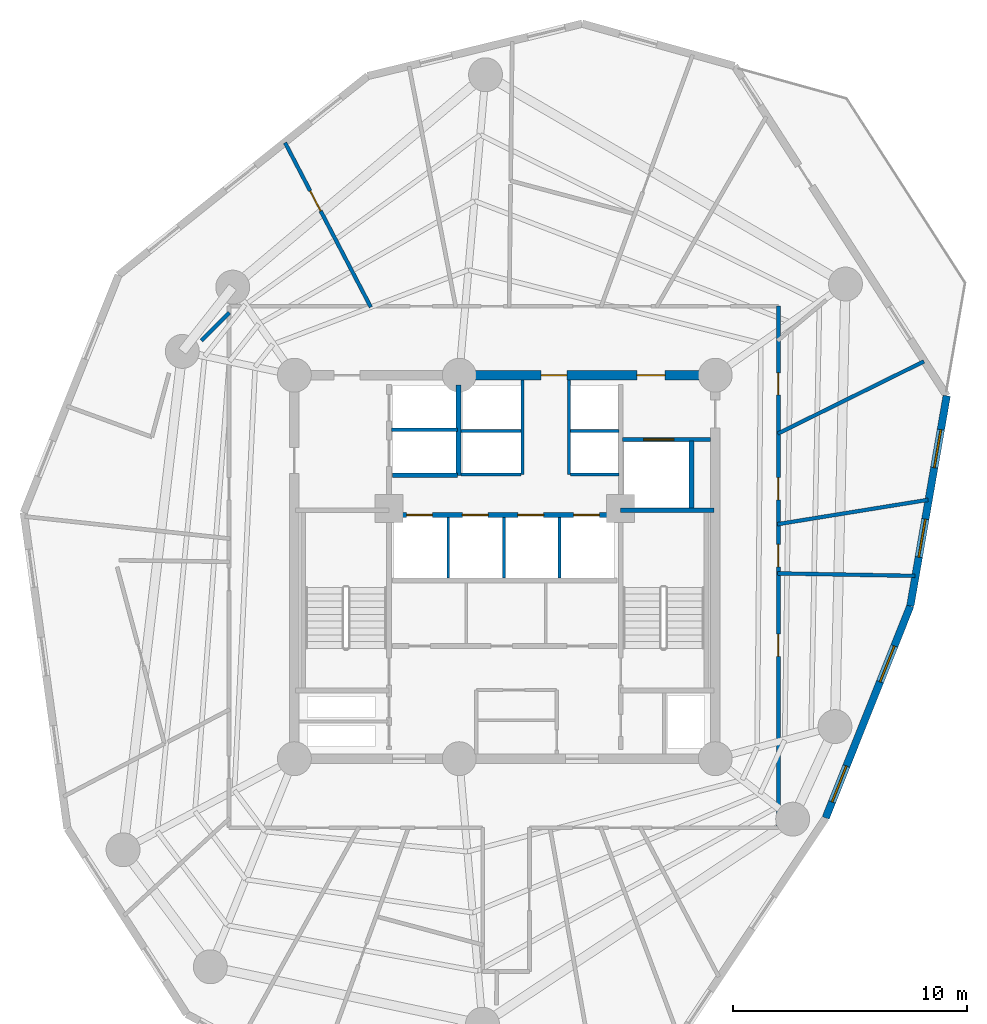
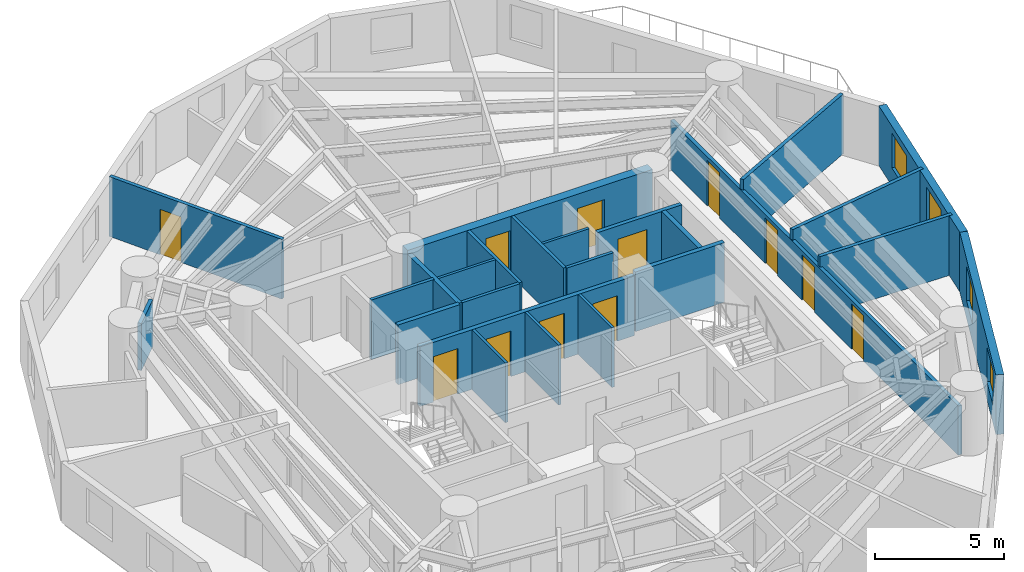
# One storey, part 5 of 8: 25 walls, 12 doors, 4 windows, 16 openings.
"""IFC4 building model written with IfcOpenShell, lengths in metres."""

from ifc_helpers import new_model, si_unit, direction, frame, frame_2d, origin, origin_with_axes, place, context, subcontext, project, spatial, rectangle, extrude, source, transform, mapped, material, layer, layer_set, type_object, element, fill, save


model = new_model("IFC4")

# Units and contexts
model_context = context("Model", 3, precision=1e-05, world=origin(), true_north=direction((0.0, 1.0)))
body_context = subcontext(model_context, "Body", "Model", "MODEL_VIEW")
ifc_project = project(units=[si_unit("LENGTHUNIT", "METRE"), si_unit("AREAUNIT", "SQUARE_METRE"), si_unit("VOLUMEUNIT", "CUBIC_METRE"), si_unit("PLANEANGLEUNIT", "RADIAN"), si_unit("MASSUNIT", "GRAM", prefix="KILO")], contexts=[model_context])

# Site, building, storey
site_placement = place(None, origin())
site = spatial("IfcSite", under=ifc_project, at=site_placement, CompositionType="ELEMENT")
building_placement = place(site_placement, origin())
building = spatial("IfcBuilding", under=site, at=building_placement, Name="Karkom Vertical University and Central Library", CompositionType="ELEMENT")
storey_placement = place(building_placement, frame((0.0, 0.0, 132.800048828125)))
storey = spatial("IfcBuildingStorey", under=building, at=storey_placement, Name="L37", CompositionType="ELEMENT", Elevation=132.800048828125)

# Wall, openings, windows
ifc_material_1 = material(Name="Brick-faced precast concrete C45/55", Category="masonry")
ifc_layer_1 = layer(ifc_material_1, 0.320068359375)
ifc_layer_set_1 = layer_set([ifc_layer_1], Name="Brick-faced precast concrete C45/55")
wall_type_1 = type_object("IfcWallType", Name="ENV-WL-BRK-320", PredefinedType="SOLIDWALL", material=ifc_layer_set_1)
wall_1_placement = place(storey_placement, frame((42.223876953125, 15.767333984375, 0.0), z_axis=(0.0, 0.0, 1.0), x_axis=(0.37072212122, 0.928743833809, 0.0)))
wall_1 = element("IfcWall", 1, at=wall_1_placement, inside=storey, type_object=wall_type_1, Name="Level 37 Brick-Faced Precast Facade Wall 06", PredefinedType="SOLIDWALL", context=body_context, shape_type="SweptSolid", body=[
    extrude(rectangle(XDim=9.760498046875, YDim=0.320068359375, at=frame_2d((4.88037109375, 0.0))), origin(), (0.0, 0.0, 1.0), 2.824951171875),
])
opening_1_placement = place(wall_1_placement, frame((0.736572265625, 0.0, 0.85009765625)))
opening_1 = element("IfcOpeningElement", 2, at=opening_1_placement, cuts=wall_1, Name="Opening WN-06", PredefinedType="OPENING", context=body_context, shape_type="SweptSolid", body=[
    extrude(rectangle(XDim=1.64990234375, YDim=1.64990234375, at=frame_2d((0.824951171875, 0.824951171875))), frame((0.0, 0.169921875, 0.0), z_axis=(0.0, -1.0, 0.0), x_axis=(1.0, 0.0, 0.0)), (0.0, 0.0, 1.0), 0.340087890625),
])
opening_2_placement = place(wall_1_placement, frame((6.2666015625, 0.0, 0.85009765625)))
opening_2 = element("IfcOpeningElement", 3, at=opening_2_placement, cuts=wall_1, Name="Opening WN-06", PredefinedType="OPENING", context=body_context, shape_type="SweptSolid", body=[
    extrude(rectangle(XDim=1.64990234375, YDim=1.64990234375, at=frame_2d((0.824951171875, 0.824951171875))), frame((0.0, 0.169921875, 0.0), z_axis=(0.0, -1.0, 0.0), x_axis=(1.0, 0.0, 0.0)), (0.0, 0.0, 1.0), 0.340087890625),
])
ifc_material_2 = material(Name="Aluminium thermal-break frame with solar-control IGU", Category="aluminium")
window_type = type_object("IfcWindowType", Name="ENV-WIN-WN-06", PartitioningType="SINGLE_PANEL", PredefinedType="WINDOW", material=ifc_material_2)
shared_shape_1 = source(origin_with_axes(), body_context, "Body", "SweptSolid", [
    extrude(rectangle(XDim=1.64990234375, YDim=1.64990234375, at=frame_2d((0.824951171875, 0.824951171875))), frame((0.0, 0.030029296875, 0.0), z_axis=(0.0, -1.0, 0.0), x_axis=(1.0, 0.0, 0.0)), (0.0, 0.0, 1.0), 0.06005859375),
])
window_1_placement = place(opening_1_placement, origin())
window_1 = element("IfcWindow", 4, at=window_1_placement, inside=storey, type_object=window_type, Name="Level 37 Punched Window 6.1", OverallHeight=1.64990234375, OverallWidth=1.64990234375, PartitioningType="SINGLE_PANEL", PredefinedType="WINDOW", context=body_context, shape_type="MappedRepresentation", body=[
    mapped(shared_shape_1, transform((0.0, 0.0, 0.0), scale=1.0)),
])
fill(opening_1, window_1)
window_2_placement = place(opening_2_placement, origin())
window_2 = element("IfcWindow", 5, at=window_2_placement, inside=storey, type_object=window_type, Name="Level 37 Punched Window 6.2", OverallHeight=1.64990234375, OverallWidth=1.64990234375, PartitioningType="SINGLE_PANEL", PredefinedType="WINDOW", context=body_context, shape_type="MappedRepresentation", body=[
    mapped(shared_shape_1, transform((0.0, 0.0, 0.0), scale=1.0)),
])
fill(opening_2, window_2)

wall_2_placement = place(storey_placement, frame((45.84228515625, 24.832275390625, 0.0), z_axis=(0.0, 0.0, 1.0), x_axis=(0.170718823462, 0.985319787336, 0.0)))
wall_2 = element("IfcWall", 6, at=wall_2_placement, inside=storey, type_object=wall_type_1, Name="Level 37 Brick-Faced Precast Facade Wall 07", PredefinedType="SOLIDWALL", context=body_context, shape_type="SweptSolid", body=[
    extrude(rectangle(XDim=9.12255859375, YDim=0.320068359375, at=frame_2d((4.561279296875, 0.0))), origin(), (0.0, 0.0, 1.0), 2.824951171875),
])
opening_3_placement = place(wall_2_placement, frame((2.1171875, 0.0, 0.85009765625)))
opening_3 = element("IfcOpeningElement", 7, at=opening_3_placement, cuts=wall_2, Name="Opening WN-06", PredefinedType="OPENING", context=body_context, shape_type="SweptSolid", body=[
    extrude(rectangle(XDim=1.64990234375, YDim=1.64990234375, at=frame_2d((0.824951171875, 0.824951171875))), frame((0.0, 0.169921875, 0.0), z_axis=(0.0, -1.0, 0.0), x_axis=(1.0, 0.0, 0.0)), (0.0, 0.0, 1.0), 0.340087890625),
])
opening_4_placement = place(wall_2_placement, frame((6.001220703125, 0.0, 0.85009765625)))
opening_4 = element("IfcOpeningElement", 8, at=opening_4_placement, cuts=wall_2, Name="Opening WN-06", PredefinedType="OPENING", context=body_context, shape_type="SweptSolid", body=[
    extrude(rectangle(XDim=1.64990234375, YDim=1.64990234375, at=frame_2d((0.824951171875, 0.824951171875))), frame((0.0, 0.169921875, 0.0), z_axis=(0.0, -1.0, 0.0), x_axis=(1.0, 0.0, 0.0)), (0.0, 0.0, 1.0), 0.340087890625),
])
window_3_placement = place(opening_3_placement, origin())
window_3 = element("IfcWindow", 9, at=window_3_placement, inside=storey, type_object=window_type, Name="Level 37 Punched Window 7.1", OverallHeight=1.64990234375, OverallWidth=1.64990234375, PartitioningType="SINGLE_PANEL", PredefinedType="WINDOW", context=body_context, shape_type="MappedRepresentation", body=[
    mapped(shared_shape_1, transform((0.0, 0.0, 0.0), scale=1.0)),
])
fill(opening_3, window_3)
window_4_placement = place(opening_4_placement, origin())
window_4 = element("IfcWindow", 10, at=window_4_placement, inside=storey, type_object=window_type, Name="Level 37 Punched Window 7.2", OverallHeight=1.64990234375, OverallWidth=1.64990234375, PartitioningType="SINGLE_PANEL", PredefinedType="WINDOW", context=body_context, shape_type="MappedRepresentation", body=[
    mapped(shared_shape_1, transform((0.0, 0.0, 0.0), scale=1.0)),
])
fill(opening_4, window_4)

# Wall, openings, doors
ifc_material_3 = material(Name="Insulated metal-stud drywall 160mm", Category="gypsum")
ifc_layer_2 = layer(ifc_material_3, 0.159912109375)
ifc_layer_set_2 = layer_set([ifc_layer_2], Name="Insulated metal-stud drywall 160mm")
wall_type_2 = type_object("IfcWallType", Name="INT-WL-COR-160", PredefinedType="PARTITIONING", material=ifc_layer_set_2)
wall_3_placement = place(storey_placement, frame((40.199951171875, 37.64990234375, 0.0), z_axis=(0.0, 0.0, 1.0), x_axis=(0.0, -1.0, 0.0)))
wall_3 = element("IfcWall", 11, at=wall_3_placement, inside=storey, type_object=wall_type_2, Name="Level 37 Interior Partition Wall L37-CORW-CW-004", PredefinedType="PARTITIONING", context=body_context, shape_type="SweptSolid", body=[
    extrude(rectangle(XDim=22.2998046875, YDim=0.159912109375, at=frame_2d((11.14990234375, 0.0))), origin(), (0.0, 0.0, 1.0), 2.324951171875),
])
opening_5_placement = place(wall_3_placement, frame((14.02001953125, 0.0, 0.0)))
opening_5 = element("IfcOpeningElement", 12, at=opening_5_placement, cuts=wall_3, Name="Opening D-RM1", PredefinedType="OPENING", context=body_context, shape_type="SweptSolid", body=[
    extrude(rectangle(XDim=0.949951171875, YDim=2.14990234375, at=frame_2d((0.47509765625, 1.074951171875))), frame((0.0, 0.08984375, 0.0), z_axis=(0.0, -1.0, 0.0), x_axis=(1.0, 0.0, 0.0)), (0.0, 0.0, 1.0), 0.179931640625),
])
opening_6_placement = place(wall_3_placement, frame((10.18505859375, 0.0, 0.0)))
opening_6 = element("IfcOpeningElement", 13, at=opening_6_placement, cuts=wall_3, Name="Opening FD-RM2", PredefinedType="OPENING", context=body_context, shape_type="SweptSolid", body=[
    extrude(rectangle(XDim=0.9599609375, YDim=2.14990234375, at=frame_2d((0.47998046875, 1.074951171875))), frame((0.0, 0.08984375, 0.0), z_axis=(0.0, -1.0, 0.0), x_axis=(1.0, 0.0, 0.0)), (0.0, 0.0, 1.0), 0.179931640625),
])
opening_7_placement = place(wall_3_placement, frame((7.330078125, 0.0, 0.0)))
opening_7 = element("IfcOpeningElement", 14, at=opening_7_placement, cuts=wall_3, Name="Opening D-RM1", PredefinedType="OPENING", context=body_context, shape_type="SweptSolid", body=[
    extrude(rectangle(XDim=0.949951171875, YDim=2.14990234375, at=frame_2d((0.47509765625, 1.074951171875))), frame((0.0, 0.08984375, 0.0), z_axis=(0.0, -1.0, 0.0), x_axis=(1.0, 0.0, 0.0)), (0.0, 0.0, 1.0), 0.179931640625),
])
opening_8_placement = place(wall_3_placement, frame((2.845703125, 0.0, 0.0)))
opening_8 = element("IfcOpeningElement", 15, at=opening_8_placement, cuts=wall_3, Name="Opening D-RM1", PredefinedType="OPENING", context=body_context, shape_type="SweptSolid", body=[
    extrude(rectangle(XDim=0.949951171875, YDim=2.14990234375, at=frame_2d((0.47509765625, 1.074951171875))), frame((0.0, 0.08984375, 0.0), z_axis=(0.0, -1.0, 0.0), x_axis=(1.0, 0.0, 0.0)), (0.0, 0.0, 1.0), 0.179931640625),
])
ifc_material_4 = material(Name="Fire-rated oak veneer door", Category="wood")
door_type_1 = type_object("IfcDoorType", Name="INT-DR-FRM2", OperationType="NOTDEFINED", PredefinedType="DOOR", material=ifc_material_4)
shared_shape_2 = source(origin_with_axes(), body_context, "Body", "SweptSolid", [
    extrude(rectangle(XDim=0.9599609375, YDim=2.14990234375, at=frame_2d((0.47998046875, 1.074951171875))), frame((0.0, 0.02490234375, 0.0), z_axis=(0.0, -1.0, 0.0), x_axis=(1.0, 0.0, 0.0)), (0.0, 0.0, 1.0), 0.050048828125),
])
door_1_placement = place(opening_6_placement, origin())
door_1 = element("IfcDoor", 16, at=door_1_placement, inside=storey, type_object=door_type_1, Name="Level 37 Room Entry Door 120", OperationType="SINGLE_SWING_RIGHT", OverallHeight=2.14990234375, OverallWidth=0.9599609375, PredefinedType="DOOR", context=body_context, shape_type="MappedRepresentation", body=[
    mapped(shared_shape_2, transform((0.0, 0.0, 0.0), scale=1.0)),
])
fill(opening_6, door_1)
ifc_material_5 = material(Name="Solid-core oak veneer door", Category="wood")
door_type_2 = type_object("IfcDoorType", Name="INT-DR-RM1", OperationType="NOTDEFINED", PredefinedType="DOOR", material=ifc_material_5)
shared_shape_3 = source(origin_with_axes(), body_context, "Body", "SweptSolid", [
    extrude(rectangle(XDim=0.949951171875, YDim=2.14990234375, at=frame_2d((0.47509765625, 1.074951171875))), frame((0.0, 0.02490234375, 0.0), z_axis=(0.0, -1.0, 0.0), x_axis=(1.0, 0.0, 0.0)), (0.0, 0.0, 1.0), 0.050048828125),
])
door_2_placement = place(opening_5_placement, origin())
door_2 = element("IfcDoor", 17, at=door_2_placement, inside=storey, type_object=door_type_2, Name="Level 37 Room Entry Door 110", OperationType="SINGLE_SWING_LEFT", OverallHeight=2.14990234375, OverallWidth=0.949951171875, PredefinedType="DOOR", context=body_context, shape_type="MappedRepresentation", body=[
    mapped(shared_shape_3, transform((0.0, 0.0, 0.0), scale=1.0)),
])
fill(opening_5, door_2)
door_3_placement = place(opening_7_placement, origin())
door_3 = element("IfcDoor", 18, at=door_3_placement, inside=storey, type_object=door_type_2, Name="Level 37 Room Entry Door 130", OperationType="SINGLE_SWING_LEFT", OverallHeight=2.14990234375, OverallWidth=0.949951171875, PredefinedType="DOOR", context=body_context, shape_type="MappedRepresentation", body=[
    mapped(shared_shape_3, transform((0.0, 0.0, 0.0), scale=1.0)),
])
fill(opening_7, door_3)
door_4_placement = place(opening_8_placement, origin())
door_4 = element("IfcDoor", 19, at=door_4_placement, inside=storey, type_object=door_type_2, Name="Level 37 Room Entry Door 140", OperationType="SINGLE_SWING_RIGHT", OverallHeight=2.14990234375, OverallWidth=0.949951171875, PredefinedType="DOOR", context=body_context, shape_type="MappedRepresentation", body=[
    mapped(shared_shape_3, transform((0.0, 0.0, 0.0), scale=1.0)),
])
fill(opening_8, door_4)

# Wall, opening, door
wall_4_placement = place(storey_placement, frame((22.77001953125, 37.610107421875, 0.0), z_axis=(0.0, 0.0, 1.0), x_axis=(-0.462638604279, 0.886546965384, 0.0)))
wall_4 = element("IfcWall", 20, at=wall_4_placement, inside=storey, type_object=wall_type_2, Name="Level 37 Interior Partition Wall L37-PW-025", PredefinedType="PARTITIONING", context=body_context, shape_type="SweptSolid", body=[
    extrude(rectangle(XDim=7.929931640625, YDim=0.159912109375, at=frame_2d((3.96484375, 0.0))), origin(), (0.0, 0.0, 1.0), 2.824951171875),
])
opening_9_placement = place(wall_4_placement, frame((4.64697265625, 0.0, 0.0)))
opening_9 = element("IfcOpeningElement", 21, at=opening_9_placement, cuts=wall_4, Name="Opening FD-RM2", PredefinedType="OPENING", context=body_context, shape_type="SweptSolid", body=[
    extrude(rectangle(XDim=0.9599609375, YDim=2.14990234375, at=frame_2d((0.47998046875, 1.074951171875))), frame((0.0, 0.08984375, 0.0), z_axis=(0.0, -1.0, 0.0), x_axis=(1.0, 0.0, 0.0)), (0.0, 0.0, 1.0), 0.179931640625),
])
door_5_placement = place(opening_9_placement, origin())
door_5 = element("IfcDoor", 22, at=door_5_placement, inside=storey, type_object=door_type_1, Name="Level 37 Room Entry Door 210", OperationType="SINGLE_SWING_RIGHT", OverallHeight=2.14990234375, OverallWidth=0.9599609375, PredefinedType="DOOR", context=body_context, shape_type="MappedRepresentation", body=[
    mapped(shared_shape_2, transform((0.0, 0.0, 0.0), scale=1.0)),
])
fill(opening_9, door_5)

# Walls
wall_5_placement = place(storey_placement, frame((40.173095703125, 32.20166015625, 0.0), z_axis=(0.0, 0.0, 1.0), x_axis=(0.896518370802, 0.443006558433, 0.0)))
element("IfcWall", 23, at=wall_5_placement, inside=storey, type_object=wall_type_2, Name="Level 37 Interior Partition Wall L37-PW-017", PredefinedType="PARTITIONING", context=body_context, shape_type="SweptSolid", body=[
    extrude(rectangle(XDim=6.971923828125, YDim=0.159912109375, at=frame_2d((3.48583984375, 0.0))), origin(), (0.0, 0.0, 1.0), 2.824951171875),
])
wall_6_placement = place(storey_placement, frame((40.155517578125, 28.326904296875, 0.0), z_axis=(0.0, 0.0, 1.0), x_axis=(0.987137558306, 0.159873202825, 0.0)))
element("IfcWall", 24, at=wall_6_placement, inside=storey, type_object=wall_type_2, Name="Level 37 Interior Partition Wall L37-PW-016", PredefinedType="PARTITIONING", context=body_context, shape_type="SweptSolid", body=[
    extrude(rectangle(XDim=6.5283203125, YDim=0.159912109375, at=frame_2d((3.26416015625, 0.0))), origin(), (0.0, 0.0, 1.0), 2.824951171875),
])
wall_7_placement = place(storey_placement, frame((40.169921875, 26.225341796875, 0.0), z_axis=(0.0, 0.0, 1.0), x_axis=(0.999831769481, -0.018342102847, 0.0)))
element("IfcWall", 25, at=wall_7_placement, inside=storey, type_object=wall_type_2, Name="Level 37 Interior Partition Wall L37-PW-015", PredefinedType="PARTITIONING", context=body_context, shape_type="SweptSolid", body=[
    extrude(rectangle(XDim=5.869873046875, YDim=0.159912109375, at=frame_2d((2.93505859375, 0.0))), origin(), (0.0, 0.0, 1.0), 2.824951171875),
])
wall_8_placement = place(storey_placement, frame((16.72119140625, 37.373779296875, 0.0), z_axis=(0.0, 0.0, 1.0), x_axis=(-0.707034498357, -0.707179056627, 0.0)))
element("IfcWall", 26, at=wall_8_placement, inside=storey, type_object=wall_type_2, Name="Level 37 Interior Partition Wall L37-PW-026", PredefinedType="PARTITIONING", context=body_context, shape_type="SweptSolid", body=[
    extrude(rectangle(XDim=1.68896484375, YDim=0.159912109375, at=frame_2d((0.844482421875, 0.0))), origin(), (0.0, 0.0, 1.0), 2.224853515625),
])
ifc_material_6 = material(Name="Moisture-resistant drywall 120mm", Category="gypsum")
ifc_layer_3 = layer(ifc_material_6, 0.1201171875)
ifc_layer_set_3 = layer_set([ifc_layer_3], Name="Moisture-resistant drywall 120mm")
wall_type_3 = type_object("IfcWallType", Name="INT-WL-INT-120H", PredefinedType="PARTITIONING", material=ifc_layer_set_3)
for number, where, z_axis, x_axis, name in (
    (27, (26.080078125, 26.02001953125, 0.0), (0.0, 0.0, 1.0), (0.0, 1.0, 0.0), "Level 37 Interior Partition Wall L37-CW-PM-DIV1"),
    (28, (28.4599609375, 26.02001953125, 0.0), (0.0, 0.0, 1.0), (0.0, 1.0, 0.0), "Level 37 Interior Partition Wall L37-CW-PM-DIV2"),
    (29, (30.840087890625, 26.02001953125, 0.0), (0.0, 0.0, 1.0), (0.0, 1.0, 0.0), "Level 37 Interior Partition Wall L37-CW-PM-DIV3"),
):
    element("IfcWall", number, at=place(storey_placement, frame(where, z_axis=z_axis, x_axis=x_axis)), inside=storey, type_object=wall_type_3, Name=name, PredefinedType="PARTITIONING", context=body_context, shape_type="SweptSolid", body=[
        extrude(rectangle(XDim=2.60009765625, YDim=0.1201171875, at=frame_2d((1.300048828125, 0.0))), origin(), (0.0, 0.0, 1.0), 2.824951171875),
    ])
wall_9_placement = place(storey_placement, frame((26.6201171875, 32.320068359375, 0.0), z_axis=(0.0, 0.0, 1.0), x_axis=(1.0, 0.0, 0.0)))
element("IfcWall", 30, at=wall_9_placement, inside=storey, type_object=wall_type_3, Name="Level 37 Interior Partition Wall L37-CW-PH-MW", PredefinedType="PARTITIONING", context=body_context, shape_type="SweptSolid", body=[
    extrude(rectangle(XDim=2.579833984375, YDim=0.1201171875, at=frame_2d((1.2900390625, 0.0))), origin(), (0.0, 0.0, 1.0), 2.824951171875),
])
wall_10_placement = place(storey_placement, frame((31.300048828125, 32.320068359375, 0.0), z_axis=(0.0, 0.0, 1.0), x_axis=(1.0, 0.0, 0.0)))
element("IfcWall", 31, at=wall_10_placement, inside=storey, type_object=wall_type_3, Name="Level 37 Interior Partition Wall L37-CW-PH-ME", PredefinedType="PARTITIONING", context=body_context, shape_type="SweptSolid", body=[
    extrude(rectangle(XDim=2.074951171875, YDim=0.1201171875, at=frame_2d((1.03759765625, 0.0))), origin(), (0.0, 0.0, 1.0), 2.824951171875),
])
ifc_material_7 = material(Name="Metal-stud gypsum partition 140mm", Category="gypsum")
ifc_layer_4 = layer(ifc_material_7, 0.139892578125)
ifc_layer_set_4 = layer_set([ifc_layer_4], Name="Metal-stud gypsum partition 140mm")
wall_type_4 = type_object("IfcWallType", Name="INT-WL-SUB-140H", PredefinedType="PARTITIONING", material=ifc_layer_set_4)
for number, where, z_axis, x_axis, name in (
    (32, (29.260009765625, 30.449951171875, 0.0), (0.0, 0.0, 1.0), (0.0, 1.0, 0.0), "Level 37 Interior Partition Wall L37-CW-PH-W"),
    (33, (31.239990234375, 30.449951171875, 0.0), (0.0, 0.0, 1.0), (0.0, 1.0, 0.0), "Level 37 Interior Partition Wall L37-CW-PH-E"),
):
    element("IfcWall", number, at=place(storey_placement, frame(where, z_axis=z_axis, x_axis=x_axis)), inside=storey, type_object=wall_type_4, Name=name, PredefinedType="PARTITIONING", context=body_context, shape_type="SweptSolid", body=[
        extrude(rectangle(XDim=4.04296875, YDim=0.139892578125, at=frame_2d((2.021484375, 0.0))), origin(), (0.0, 0.0, 1.0), 2.824951171875),
    ])
wall_11_placement = place(storey_placement, frame((26.6201171875, 30.449951171875, 0.0), z_axis=(0.0, 0.0, 1.0), x_axis=(1.0, 0.0, 0.0)))
element("IfcWall", 34, at=wall_11_placement, inside=storey, type_object=wall_type_4, Name="Level 37 Interior Partition Wall L37-CW-PH-S1", PredefinedType="PARTITIONING", context=body_context, shape_type="SweptSolid", body=[
    extrude(rectangle(XDim=2.579833984375, YDim=0.139892578125, at=frame_2d((1.2900390625, 0.0))), origin(), (0.0, 0.0, 1.0), 2.824951171875),
])
wall_12_placement = place(storey_placement, frame((31.300048828125, 30.449951171875, 0.0), z_axis=(0.0, 0.0, 1.0), x_axis=(1.0, 0.0, 0.0)))
element("IfcWall", 35, at=wall_12_placement, inside=storey, type_object=wall_type_4, Name="Level 37 Interior Partition Wall L37-CW-PH-S2", PredefinedType="PARTITIONING", context=body_context, shape_type="SweptSolid", body=[
    extrude(rectangle(XDim=2.074951171875, YDim=0.139892578125, at=frame_2d((1.03759765625, 0.0))), origin(), (0.0, 0.0, 1.0), 2.824951171875),
])
ifc_layer_5 = layer(ifc_material_7, 0.139892578125)
ifc_layer_set_5 = layer_set([ifc_layer_5], Name="Metal-stud gypsum partition 140mm")
wall_type_5 = type_object("IfcWallType", Name="INT-WL-SUB-140X", PredefinedType="PARTITIONING", material=ifc_layer_set_5)
wall_13_placement = place(storey_placement, frame((23.652099609375, 32.3701171875, 0.0), z_axis=(0.0, 0.0, 1.0), x_axis=(1.0, 0.0, 0.0)))
element("IfcWall", 36, at=wall_13_placement, inside=storey, type_object=wall_type_5, Name="Level 37 Interior Partition Wall L37-CW-FFL-M", PredefinedType="PARTITIONING", context=body_context, shape_type="SweptSolid", body=[
    extrude(rectangle(XDim=2.827880859375, YDim=0.139892578125, at=frame_2d((1.4140625, 0.0))), origin(), (0.0, 0.0, 1.0), 2.824951171875),
])

# Wall, opening, door
ifc_material_8 = material(Name="Twin-stud acoustic drywall 180mm", Category="gypsum")
ifc_layer_6 = layer(ifc_material_8, 0.179931640625)
ifc_layer_set_6 = layer_set([ifc_layer_6], Name="Twin-stud acoustic drywall 180mm")
wall_type_6 = type_object("IfcWallType", Name="INT-WL-TEN-180F", PredefinedType="PARTITIONING", material=ifc_layer_set_6)
wall_14_placement = place(storey_placement, frame((33.534912109375, 31.949951171875, 0.0), z_axis=(0.0, 0.0, 1.0), x_axis=(1.0, 0.0, 0.0)))
wall_14 = element("IfcWall", 37, at=wall_14_placement, inside=storey, type_object=wall_type_6, Name="Level 37 Interior Partition Wall L37-CW-SVL-N", PredefinedType="PARTITIONING", context=body_context, shape_type="SweptSolid", body=[
    extrude(rectangle(XDim=3.7587890625, YDim=0.179931640625, at=frame_2d((1.87939453125, 0.0))), origin(), (0.0, 0.0, 1.0), 2.824951171875),
])
opening_10_placement = place(wall_14_placement, frame((0.89990234375, 0.0, 0.0)))
opening_10 = element("IfcOpeningElement", 38, at=opening_10_placement, cuts=wall_14, Name="Opening LD-SV1", PredefinedType="OPENING", context=body_context, shape_type="SweptSolid", body=[
    extrude(rectangle(XDim=1.300048828125, YDim=2.199951171875, at=frame_2d((0.64990234375, 1.10009765625))), frame((0.0, 0.10009765625, 0.0), z_axis=(0.0, -1.0, 0.0), x_axis=(1.0, 0.0, 0.0)), (0.0, 0.0, 1.0), 0.199951171875),
])
ifc_material_9 = material(Name="Brushed stainless-steel landing door", Category="steel")
door_type_3 = type_object("IfcDoorType", Name="INT-DR-LD-SV1", OperationType="SLIDING_TO_LEFT", PredefinedType="DOOR", material=ifc_material_9)
shared_shape_4 = source(origin_with_axes(), body_context, "Body", "SweptSolid", [
    extrude(rectangle(XDim=1.300048828125, YDim=2.199951171875, at=frame_2d((0.64990234375, 1.10009765625))), frame((0.0, 0.02490234375, 0.0), z_axis=(0.0, -1.0, 0.0), x_axis=(1.0, 0.0, 0.0)), (0.0, 0.0, 1.0), 0.050048828125),
])
door_6_placement = place(opening_10_placement, origin())
door_6 = element("IfcDoor", 39, at=door_6_placement, inside=storey, type_object=door_type_3, Name="Level 37 Service Lift Landing Door LD-SV1", OperationType="SLIDING_TO_LEFT", OverallHeight=2.199951171875, OverallWidth=1.300048828125, PredefinedType="DOOR", context=body_context, shape_type="MappedRepresentation", body=[
    mapped(shared_shape_4, transform((0.0, 0.0, 0.0), scale=1.0)),
])
fill(opening_10, door_6)

# Wall, openings, doors
ifc_material_10 = material(Name="Concrete C50/60", Category="concrete")
ifc_layer_7 = layer(ifc_material_10, 0.39990234375)
ifc_layer_set_7 = layer_set([ifc_layer_7], Name="Concrete C50/60")
wall_type_7 = type_object("IfcWallType", Name="STR-WL-CW-400", PredefinedType="SHEAR", material=ifc_layer_set_7)
wall_15_placement = place(storey_placement, frame((37.5, 34.699951171875, 0.0), z_axis=(0.0, 0.0, 1.0), x_axis=(-1.0, 0.0, 0.0)))
wall_15 = element("IfcWall", 40, at=wall_15_placement, inside=storey, type_object=wall_type_7, Name="Level 37 Central Core Shear Wall NW1", PredefinedType="SHEAR", context=body_context, shape_type="SweptSolid", body=[
    extrude(rectangle(XDim=10.949951171875, YDim=0.39990234375, at=frame_2d((5.47509765625, 0.0))), origin(), (0.0, 0.0, 1.0), 2.824951171875),
])
opening_11_placement = place(wall_15_placement, frame((2.14990234375, 0.0, 0.0)))
opening_11 = element("IfcOpeningElement", 41, at=opening_11_placement, cuts=wall_15, Name="Opening FD-SUB1", PredefinedType="OPENING", context=body_context, shape_type="SweptSolid", body=[
    extrude(rectangle(XDim=1.199951171875, YDim=2.14990234375, at=frame_2d((0.60009765625, 1.074951171875))), frame((0.0, 0.2099609375, 0.0), z_axis=(0.0, -1.0, 0.0), x_axis=(1.0, 0.0, 0.0)), (0.0, 0.0, 1.0), 0.419921875),
])
opening_12_placement = place(wall_15_placement, frame((6.35009765625, 0.0, 0.0)))
opening_12 = element("IfcOpeningElement", 42, at=opening_12_placement, cuts=wall_15, Name="Opening FD-FFL", PredefinedType="OPENING", context=body_context, shape_type="SweptSolid", body=[
    extrude(rectangle(XDim=1.10009765625, YDim=2.14990234375, at=frame_2d((0.550048828125, 1.074951171875))), frame((0.0, 0.2099609375, 0.0), z_axis=(0.0, -1.0, 0.0), x_axis=(1.0, 0.0, 0.0)), (0.0, 0.0, 1.0), 0.419921875),
])
ifc_material_11 = material(Name="Painted steel smoke-seal fire door", Category="steel")
door_type_4 = type_object("IfcDoorType", Name="INT-DR-FFL", OperationType="NOTDEFINED", PredefinedType="DOOR", material=ifc_material_11)
shared_shape_5 = source(origin_with_axes(), body_context, "Body", "SweptSolid", [
    extrude(rectangle(XDim=1.10009765625, YDim=2.14990234375, at=frame_2d((0.550048828125, 1.074951171875))), frame((0.0, 0.02490234375, 0.0), z_axis=(0.0, -1.0, 0.0), x_axis=(1.0, 0.0, 0.0)), (0.0, 0.0, 1.0), 0.050048828125),
])
door_7_placement = place(opening_12_placement, origin())
door_7 = element("IfcDoor", 43, at=door_7_placement, inside=storey, type_object=door_type_4, Name="Level 37 North Core Lobby Exit Door", OperationType="SINGLE_SWING_LEFT", OverallHeight=2.14990234375, OverallWidth=1.10009765625, PredefinedType="DOOR", context=body_context, shape_type="MappedRepresentation", body=[
    mapped(shared_shape_5, transform((0.0, 0.0, 0.0), scale=1.0)),
])
fill(opening_12, door_7)
ifc_material_12 = material(Name="Painted steel fire door", Category="steel")
door_type_5 = type_object("IfcDoorType", Name="INT-DR-SUB1", OperationType="NOTDEFINED", PredefinedType="DOOR", material=ifc_material_12)
shared_shape_6 = source(origin_with_axes(), body_context, "Body", "SweptSolid", [
    extrude(rectangle(XDim=1.199951171875, YDim=2.14990234375, at=frame_2d((0.60009765625, 1.074951171875))), frame((0.0, 0.02490234375, 0.0), z_axis=(0.0, -1.0, 0.0), x_axis=(1.0, 0.0, 0.0)), (0.0, 0.0, 1.0), 0.050048828125),
])
door_8_placement = place(opening_11_placement, origin())
door_8 = element("IfcDoor", 44, at=door_8_placement, inside=storey, type_object=door_type_5, Name="Level 37 Service Lobby Fire Door", OperationType="SINGLE_SWING_RIGHT", OverallHeight=2.14990234375, OverallWidth=1.199951171875, PredefinedType="DOOR", context=body_context, shape_type="MappedRepresentation", body=[
    mapped(shared_shape_6, transform((0.0, 0.0, 0.0), scale=1.0)),
])
fill(opening_11, door_8)

ifc_material_13 = material(Name="Concrete C45/55", Category="concrete")
ifc_layer_8 = layer(ifc_material_13, 0.199951171875)
ifc_layer_set_8 = layer_set([ifc_layer_8], Name="Concrete C45/55")
wall_type_8 = type_object("IfcWallType", Name="STR-WL-ST-200", PredefinedType="SHEAR", material=ifc_layer_set_8)
wall_16_placement = place(storey_placement, frame((23.699951171875, 28.719970703125, 0.0), z_axis=(0.0, 0.0, 1.0), x_axis=(1.0, 0.0, 0.0)))
wall_16 = element("IfcWall", 45, at=wall_16_placement, inside=storey, type_object=wall_type_8, Name="Level 37 Core Shaft Wall L37-CW-B2-N", PredefinedType="SHEAR", context=body_context, shape_type="SweptSolid", body=[
    extrude(rectangle(XDim=9.60009765625, YDim=0.199951171875, at=frame_2d((4.800048828125, 0.0))), origin(), (0.0, 0.0, 1.0), 2.824951171875),
])
opening_13_placement = place(wall_16_placement, frame((0.60009765625, 0.0, 0.0)))
opening_13 = element("IfcOpeningElement", 46, at=opening_13_placement, cuts=wall_16, Name="Opening LD-PAX", PredefinedType="OPENING", context=body_context, shape_type="SweptSolid", body=[
    extrude(rectangle(XDim=1.10009765625, YDim=2.14990234375, at=frame_2d((0.550048828125, 1.074951171875))), frame((0.0, 0.10986328125, 0.0), z_axis=(0.0, -1.0, 0.0), x_axis=(1.0, 0.0, 0.0)), (0.0, 0.0, 1.0), 0.219970703125),
])
opening_14_placement = place(wall_16_placement, frame((2.97998046875, 0.0, 0.0)))
opening_14 = element("IfcOpeningElement", 47, at=opening_14_placement, cuts=wall_16, Name="Opening LD-PAX", PredefinedType="OPENING", context=body_context, shape_type="SweptSolid", body=[
    extrude(rectangle(XDim=1.10009765625, YDim=2.14990234375, at=frame_2d((0.550048828125, 1.074951171875))), frame((0.0, 0.10986328125, 0.0), z_axis=(0.0, -1.0, 0.0), x_axis=(1.0, 0.0, 0.0)), (0.0, 0.0, 1.0), 0.219970703125),
])
opening_15_placement = place(wall_16_placement, frame((5.360107421875, 0.0, 0.0)))
opening_15 = element("IfcOpeningElement", 48, at=opening_15_placement, cuts=wall_16, Name="Opening LD-PAX", PredefinedType="OPENING", context=body_context, shape_type="SweptSolid", body=[
    extrude(rectangle(XDim=1.10009765625, YDim=2.14990234375, at=frame_2d((0.550048828125, 1.074951171875))), frame((0.0, 0.10986328125, 0.0), z_axis=(0.0, -1.0, 0.0), x_axis=(1.0, 0.0, 0.0)), (0.0, 0.0, 1.0), 0.219970703125),
])
opening_16_placement = place(wall_16_placement, frame((7.739990234375, 0.0, 0.0)))
opening_16 = element("IfcOpeningElement", 49, at=opening_16_placement, cuts=wall_16, Name="Opening LD-PAX", PredefinedType="OPENING", context=body_context, shape_type="SweptSolid", body=[
    extrude(rectangle(XDim=1.10009765625, YDim=2.14990234375, at=frame_2d((0.550048828125, 1.074951171875))), frame((0.0, 0.10986328125, 0.0), z_axis=(0.0, -1.0, 0.0), x_axis=(1.0, 0.0, 0.0)), (0.0, 0.0, 1.0), 0.219970703125),
])
door_type_6 = type_object("IfcDoorType", Name="INT-DR-LD-PAX", OperationType="SLIDING_TO_LEFT", PredefinedType="DOOR", material=ifc_material_9)
door_9_placement = place(opening_13_placement, origin())
door_9 = element("IfcDoor", 50, at=door_9_placement, inside=storey, type_object=door_type_6, Name="Level 37 Lift PM-1 Landing Door", OperationType="SLIDING_TO_LEFT", OverallHeight=2.14990234375, OverallWidth=1.10009765625, PredefinedType="DOOR", context=body_context, shape_type="MappedRepresentation", body=[
    mapped(shared_shape_5, transform((0.0, 0.0, 0.0), scale=1.0)),
])
fill(opening_13, door_9)
door_10_placement = place(opening_14_placement, origin())
door_10 = element("IfcDoor", 51, at=door_10_placement, inside=storey, type_object=door_type_6, Name="Level 37 Lift PM-2 Landing Door", OperationType="SLIDING_TO_RIGHT", OverallHeight=2.14990234375, OverallWidth=1.10009765625, PredefinedType="DOOR", context=body_context, shape_type="MappedRepresentation", body=[
    mapped(shared_shape_5, transform((0.0, 0.0, 0.0), scale=1.0)),
])
fill(opening_14, door_10)
door_11_placement = place(opening_15_placement, origin())
door_11 = element("IfcDoor", 52, at=door_11_placement, inside=storey, type_object=door_type_6, Name="Level 37 Lift PM-3 Landing Door", OperationType="SLIDING_TO_LEFT", OverallHeight=2.14990234375, OverallWidth=1.10009765625, PredefinedType="DOOR", context=body_context, shape_type="MappedRepresentation", body=[
    mapped(shared_shape_5, transform((0.0, 0.0, 0.0), scale=1.0)),
])
fill(opening_15, door_11)
door_12_placement = place(opening_16_placement, origin())
door_12 = element("IfcDoor", 53, at=door_12_placement, inside=storey, type_object=door_type_6, Name="Level 37 Lift PM-4 Landing Door", OperationType="SLIDING_TO_RIGHT", OverallHeight=2.14990234375, OverallWidth=1.10009765625, PredefinedType="DOOR", context=body_context, shape_type="MappedRepresentation", body=[
    mapped(shared_shape_5, transform((0.0, 0.0, 0.0), scale=1.0)),
])
fill(opening_16, door_12)

# Walls
wall_17_placement = place(storey_placement, frame((33.455078125, 28.925048828125, 0.0), z_axis=(0.0, 0.0, 1.0), x_axis=(1.0, 0.0, 0.0)))
element("IfcWall", 54, at=wall_17_placement, inside=storey, type_object=wall_type_8, Name="Level 37 Core Shaft Wall L37-CW-ST2-N", PredefinedType="SHEAR", context=body_context, shape_type="SweptSolid", body=[
    extrude(rectangle(XDim=3.994873046875, YDim=0.199951171875, at=frame_2d((1.99755859375, 0.0))), origin(), (0.0, 0.0, 1.0), 2.824951171875),
])
wall_18_placement = place(storey_placement, frame((26.52001953125, 30.419921875, 0.0), z_axis=(0.0, 0.0, 1.0), x_axis=(0.0, 1.0, 0.0)))
element("IfcWall", 55, at=wall_18_placement, inside=storey, type_object=wall_type_8, Name="Level 37 Core Shaft Wall L37-CW-FFL-E", PredefinedType="SHEAR", context=body_context, shape_type="SweptSolid", body=[
    extrude(rectangle(XDim=3.860107421875, YDim=0.199951171875, at=frame_2d((1.93017578125, 0.0))), origin(), (0.0, 0.0, 1.0), 2.824951171875),
])
wall_19_placement = place(storey_placement, frame((36.47998046875, 29.02001953125, 0.0), z_axis=(0.0, 0.0, 1.0), x_axis=(0.0, 1.0, 0.0)))
element("IfcWall", 56, at=wall_19_placement, inside=storey, type_object=wall_type_8, Name="Level 37 Core Shaft Wall L37-CW-SVL-E", PredefinedType="SHEAR", context=body_context, shape_type="SweptSolid", body=[
    extrude(rectangle(XDim=2.85986328125, YDim=0.199951171875, at=frame_2d((1.429931640625, 0.0))), origin(), (0.0, 0.0, 1.0), 2.824951171875),
])
wall_20_placement = place(storey_placement, frame((23.699951171875, 30.419921875, 0.0), z_axis=(0.0, 0.0, 1.0), x_axis=(1.0, 0.0, 0.0)))
element("IfcWall", 57, at=wall_20_placement, inside=storey, type_object=wall_type_8, Name="Level 37 Core Shaft Wall L37-CW-FFL-S", PredefinedType="SHEAR", context=body_context, shape_type="SweptSolid", body=[
    extrude(rectangle(XDim=2.780029296875, YDim=0.199951171875, at=frame_2d((1.39013671875, 0.0))), origin(), (0.0, 0.0, 1.0), 2.824951171875),
])

save(model, "model.ifc")
